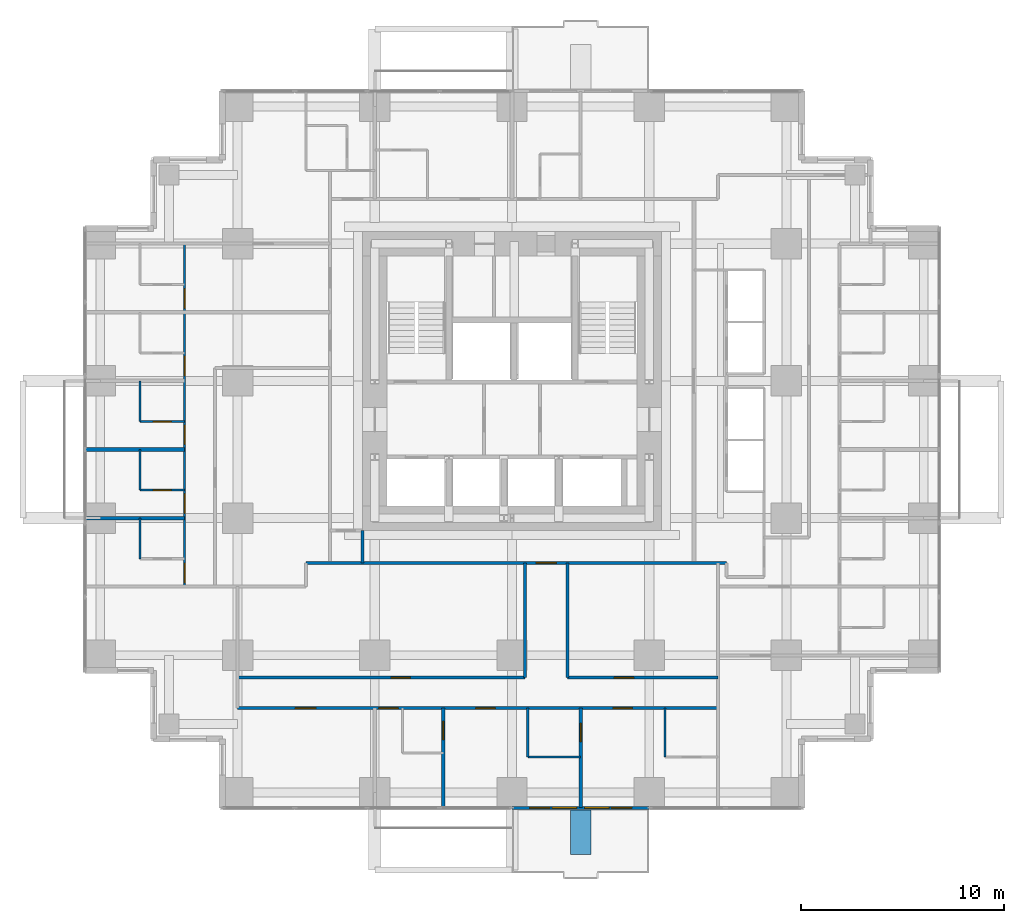
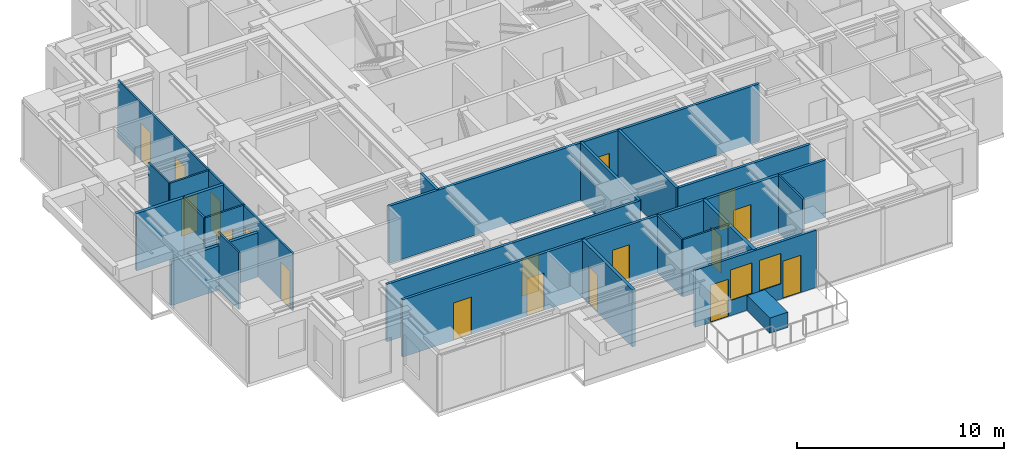
# One storey, part 7 of 12: 22 walls, 18 doors, 2 windows, 20 openings.
"""IFC4 building model written with IfcOpenShell, lengths in metres."""

from ifc_helpers import new_model, si_unit, direction, frame, frame_2d, origin, place, context, subcontext, project, spatial, rectangle, extrude, material, layer, layer_set, type_object, element, fill, save


model = new_model("IFC4")

# Units and contexts
model_context = context("Model", 3, precision=1e-05, world=origin(), true_north=direction((0.0, 1.0)))
body_context = subcontext(model_context, "Body", "Model", "MODEL_VIEW")
ifc_project = project(units=[si_unit("LENGTHUNIT", "METRE"), si_unit("AREAUNIT", "SQUARE_METRE"), si_unit("VOLUMEUNIT", "CUBIC_METRE"), si_unit("PLANEANGLEUNIT", "RADIAN"), si_unit("MASSUNIT", "GRAM", prefix="KILO")], contexts=[model_context])

# Site, building, storey
site_placement = place(None, origin())
site = spatial("IfcSite", under=ifc_project, at=site_placement, CompositionType="ELEMENT")
building_placement = place(site_placement, origin())
building = spatial("IfcBuilding", under=site, at=building_placement, Name="Nyansa Garden Tower", CompositionType="ELEMENT")
storey_placement = place(building_placement, frame((0.0, 0.0, 126.89990234375)))
storey = spatial("IfcBuildingStorey", under=building, at=storey_placement, Name="L34", CompositionType="ELEMENT", Elevation=126.89990234375)

# Walls
ifc_material_1 = material(Name="Dense blockwork, plastered both sides, 55 dB", Category="masonry")
ifc_layer_1 = layer(ifc_material_1, 0.175048828125)
ifc_layer_set_1 = layer_set([ifc_layer_1], Name="Acoustic party wall PW175")
wall_type_1 = type_object("IfcWallType", Name="Acoustic party wall PW175", PredefinedType="PARTITIONING", material=ifc_layer_set_1)
wall_1_placement = place(storey_placement, frame((-0.73388671875, 13.5, 0.0), z_axis=(0.0, 0.0, 1.0), x_axis=(1.0, 0.0, 0.0)))
element("IfcWall", 1, at=wall_1_placement, inside=storey, type_object=wall_type_1, Name="Party wall", PredefinedType="PARTITIONING", context=body_context, shape_type="SweptSolid", body=[
    extrude(rectangle(XDim=4.8837890625, YDim=0.175048828125, at=frame_2d((2.44189453125, 0.0))), origin(), (0.0, 0.0, 1.0), 2.610107421875),
])
wall_2_placement = place(storey_placement, frame((-0.73388671875, 16.875, 0.0), z_axis=(0.0, 0.0, 1.0), x_axis=(1.0, 0.0, 0.0)))
element("IfcWall", 2, at=wall_2_placement, inside=storey, type_object=wall_type_1, Name="Party wall", PredefinedType="PARTITIONING", context=body_context, shape_type="SweptSolid", body=[
    extrude(rectangle(XDim=4.8837890625, YDim=0.175048828125, at=frame_2d((2.44189453125, 0.0))), origin(), (0.0, 0.0, 1.0), 3.375),
])

# Wall, opening, door
wall_3_placement = place(storey_placement, frame((16.875, -0.73388671875, 0.0), z_axis=(0.0, 0.0, 1.0), x_axis=(0.0, 1.0, 0.0)))
wall_3 = element("IfcWall", 3, at=wall_3_placement, inside=storey, type_object=wall_type_1, Name="Party wall", PredefinedType="PARTITIONING", context=body_context, shape_type="SweptSolid", body=[
    extrude(rectangle(XDim=4.8837890625, YDim=0.175048828125, at=frame_2d((2.44189453125, 0.0))), origin(), (0.0, 0.0, 1.0), 3.375),
])
opening_1_placement = place(wall_3_placement, frame((3.333984375, 0.0, 0.0)))
opening_1 = element("IfcOpeningElement", 4, at=opening_1_placement, cuts=wall_3, Name="Opening D02", PredefinedType="OPENING", context=body_context, shape_type="SweptSolid", body=[
    extrude(rectangle(XDim=0.89990234375, YDim=2.199951171875, at=frame_2d((0.449951171875, 1.10009765625))), frame((0.0, 0.097412109375, 0.0), z_axis=(0.0, -1.0, 0.0), x_axis=(1.0, 0.0, 0.0)), (0.0, 0.0, 1.0), 0.195068359375),
])
ifc_material_2 = material(Name="Timber flush door", Category="wood")
door_type_1 = type_object("IfcDoorType", Name="En-suite door D02 900x2200", OperationType="SINGLE_SWING_RIGHT", PredefinedType="DOOR", material=ifc_material_2)
door_1_placement = place(opening_1_placement, origin())
door_1 = element("IfcDoor", 5, at=door_1_placement, inside=storey, type_object=door_type_1, Name="Door L34-023", OperationType="SINGLE_SWING_RIGHT", OverallHeight=2.199951171875, OverallWidth=0.89990234375, PredefinedType="DOOR", context=body_context, shape_type="SweptSolid", body=[
    extrude(rectangle(XDim=0.89990234375, YDim=2.199951171875, at=frame_2d((0.449951171875, 1.10009765625))), frame((0.0, 0.02490234375, 0.0), z_axis=(0.0, -1.0, 0.0), x_axis=(1.0, 0.0, 0.0)), (0.0, 0.0, 1.0), 0.050048828125),
])
fill(opening_1, door_1)

wall_4_placement = place(storey_placement, frame((23.625, -0.73388671875, 0.0), z_axis=(0.0, 0.0, 1.0), x_axis=(0.0, 1.0, 0.0)))
wall_4 = element("IfcWall", 6, at=wall_4_placement, inside=storey, type_object=wall_type_1, Name="Party wall", PredefinedType="PARTITIONING", context=body_context, shape_type="SweptSolid", body=[
    extrude(rectangle(XDim=4.8837890625, YDim=0.175048828125, at=frame_2d((2.44189453125, 0.0))), origin(), (0.0, 0.0, 1.0), 3.375),
])
opening_2_placement = place(wall_4_placement, frame((3.23388671875, 0.0, 0.0)))
opening_2 = element("IfcOpeningElement", 7, at=opening_2_placement, cuts=wall_4, Name="Opening D02", PredefinedType="OPENING", context=body_context, shape_type="SweptSolid", body=[
    extrude(rectangle(XDim=0.89990234375, YDim=2.199951171875, at=frame_2d((0.449951171875, 1.10009765625))), frame((0.0, 0.097412109375, 0.0), z_axis=(0.0, -1.0, 0.0), x_axis=(1.0, 0.0, 0.0)), (0.0, 0.0, 1.0), 0.195068359375),
])
door_2_placement = place(opening_2_placement, origin())
door_2 = element("IfcDoor", 8, at=door_2_placement, inside=storey, type_object=door_type_1, Name="Door L34-021", OperationType="SINGLE_SWING_RIGHT", OverallHeight=2.199951171875, OverallWidth=0.89990234375, PredefinedType="DOOR", context=body_context, shape_type="SweptSolid", body=[
    extrude(rectangle(XDim=0.89990234375, YDim=2.199951171875, at=frame_2d((0.449951171875, 1.10009765625))), frame((0.0, 0.02490234375, 0.0), z_axis=(0.0, -1.0, 0.0), x_axis=(1.0, 0.0, 0.0)), (0.0, 0.0, 1.0), 0.050048828125),
])
fill(opening_2, door_2)

# Wall, openings, doors, windows
ifc_material_3 = material(Name="Black aluminium framed glazed screen", Category="aluminium")
ifc_layer_2 = layer(ifc_material_3, 0.14990234375)
ifc_layer_set_2 = layer_set([ifc_layer_2], Name="Balcony screen wall BW150")
wall_type_2 = type_object("IfcWallType", Name="Balcony screen wall BW150", PredefinedType="SOLIDWALL", material=ifc_layer_set_2)
wall_5_placement = place(storey_placement, frame((27.0, -0.75, 0.0), z_axis=(0.0, 0.0, 1.0), x_axis=(-1.0, 0.0, 0.0)))
wall_5 = element("IfcWall", 9, at=wall_5_placement, inside=storey, type_object=wall_type_2, Name="Glazed screen wall L34 S", PredefinedType="SOLIDWALL", context=body_context, shape_type="SweptSolid", body=[
    extrude(rectangle(XDim=6.75, YDim=0.14990234375, at=frame_2d((3.375, 0.0))), origin(), (0.0, 0.0, 1.0), 3.375),
])
opening_3_placement = place(wall_5_placement, frame((0.862548828125, 0.0, 0.0)))
opening_3 = element("IfcOpeningElement", 10, at=opening_3_placement, cuts=wall_5, Name="Opening D20", PredefinedType="OPENING", context=body_context, shape_type="SweptSolid", body=[
    extrude(rectangle(XDim=1.0, YDim=2.199951171875, at=frame_2d((0.5, 1.10009765625))), frame((0.0, 0.0849609375, 0.0), z_axis=(0.0, -1.0, 0.0), x_axis=(1.0, 0.0, 0.0)), (0.0, 0.0, 1.0), 0.169921875),
])
opening_4_placement = place(wall_5_placement, frame((1.97509765625, 0.0, 0.89990234375)))
opening_4 = element("IfcOpeningElement", 11, at=opening_4_placement, cuts=wall_5, Name="Opening W6", PredefinedType="OPENING", context=body_context, shape_type="SweptSolid", body=[
    extrude(rectangle(XDim=1.199951171875, YDim=1.800048828125, at=frame_2d((0.60009765625, 0.89990234375))), frame((0.0, 0.0849609375, 0.0), z_axis=(0.0, -1.0, 0.0), x_axis=(1.0, 0.0, 0.0)), (0.0, 0.0, 1.0), 0.169921875),
])
opening_5_placement = place(wall_5_placement, frame((4.887451171875, 0.0, 0.0)))
opening_5 = element("IfcOpeningElement", 12, at=opening_5_placement, cuts=wall_5, Name="Opening D20", PredefinedType="OPENING", context=body_context, shape_type="SweptSolid", body=[
    extrude(rectangle(XDim=1.0, YDim=2.199951171875, at=frame_2d((0.5, 1.10009765625))), frame((0.0, 0.0849609375, 0.0), z_axis=(0.0, -1.0, 0.0), x_axis=(1.0, 0.0, 0.0)), (0.0, 0.0, 1.0), 0.169921875),
])
opening_6_placement = place(wall_5_placement, frame((3.574951171875, 0.0, 0.89990234375)))
opening_6 = element("IfcOpeningElement", 13, at=opening_6_placement, cuts=wall_5, Name="Opening W6", PredefinedType="OPENING", context=body_context, shape_type="SweptSolid", body=[
    extrude(rectangle(XDim=1.199951171875, YDim=1.800048828125, at=frame_2d((0.60009765625, 0.89990234375))), frame((0.0, 0.0849609375, 0.0), z_axis=(0.0, -1.0, 0.0), x_axis=(1.0, 0.0, 0.0)), (0.0, 0.0, 1.0), 0.169921875),
])
ifc_material_4 = material(Name="Black aluminium framed glazed door", Category="aluminium")
door_type_2 = type_object("IfcDoorType", Name="Balcony door D20 1000x2200", OperationType="NOTDEFINED", PredefinedType="DOOR", material=ifc_material_4)
door_3_placement = place(opening_3_placement, origin())
door_3 = element("IfcDoor", 14, at=door_3_placement, inside=storey, type_object=door_type_2, Name="Balcony door L34", OperationType="SINGLE_SWING_LEFT", OverallHeight=2.199951171875, OverallWidth=1.0, PredefinedType="DOOR", context=body_context, shape_type="SweptSolid", body=[
    extrude(rectangle(XDim=1.0, YDim=2.199951171875, at=frame_2d((0.5, 1.10009765625))), frame((0.0, 0.02490234375, 0.0), z_axis=(0.0, -1.0, 0.0), x_axis=(1.0, 0.0, 0.0)), (0.0, 0.0, 1.0), 0.050048828125),
])
fill(opening_3, door_3)
door_4_placement = place(opening_5_placement, origin())
door_4 = element("IfcDoor", 15, at=door_4_placement, inside=storey, type_object=door_type_2, Name="Balcony door L34", OperationType="SINGLE_SWING_RIGHT", OverallHeight=2.199951171875, OverallWidth=1.0, PredefinedType="DOOR", context=body_context, shape_type="SweptSolid", body=[
    extrude(rectangle(XDim=1.0, YDim=2.199951171875, at=frame_2d((0.5, 1.10009765625))), frame((0.0, 0.02490234375, 0.0), z_axis=(0.0, -1.0, 0.0), x_axis=(1.0, 0.0, 0.0)), (0.0, 0.0, 1.0), 0.050048828125),
])
fill(opening_5, door_4)
ifc_material_5 = material(Name="Black aluminium frame, dark tinted double glazing", Category="aluminium")
window_type = type_object("IfcWindowType", Name="Balcony window W6 1200x1800", PartitioningType="SINGLE_PANEL", PredefinedType="WINDOW", material=ifc_material_5)
window_1_placement = place(opening_4_placement, origin())
window_1 = element("IfcWindow", 16, at=window_1_placement, inside=storey, type_object=window_type, Name="Window L34", OverallHeight=1.800048828125, OverallWidth=1.199951171875, PartitioningType="SINGLE_PANEL", PredefinedType="WINDOW", context=body_context, shape_type="SweptSolid", body=[
    extrude(rectangle(XDim=1.199951171875, YDim=1.800048828125, at=frame_2d((0.60009765625, 0.89990234375))), frame((0.0, 0.030029296875, 0.0), z_axis=(0.0, -1.0, 0.0), x_axis=(1.0, 0.0, 0.0)), (0.0, 0.0, 1.0), 0.06005859375),
])
fill(opening_4, window_1)
window_2_placement = place(opening_6_placement, origin())
window_2 = element("IfcWindow", 17, at=window_2_placement, inside=storey, type_object=window_type, Name="Window L34", OverallHeight=1.800048828125, OverallWidth=1.199951171875, PartitioningType="SINGLE_PANEL", PredefinedType="WINDOW", context=body_context, shape_type="SweptSolid", body=[
    extrude(rectangle(XDim=1.199951171875, YDim=1.800048828125, at=frame_2d((0.60009765625, 0.89990234375))), frame((0.0, 0.030029296875, 0.0), z_axis=(0.0, -1.0, 0.0), x_axis=(1.0, 0.0, 0.0)), (0.0, 0.0, 1.0), 0.06005859375),
])
fill(opening_6, window_2)

# Wall, openings, doors
ifc_material_6 = material(Name="Blockwork, plastered both sides", Category="masonry")
ifc_layer_3 = layer(ifc_material_6, 0.14990234375)
ifc_layer_set_3 = layer_set([ifc_layer_3], Name="Partition PW150")
wall_type_3 = type_object("IfcWallType", Name="Partition PW150", PredefinedType="PARTITIONING", material=ifc_layer_set_3)
wall_6_placement = place(storey_placement, frame((6.75, 4.14990234375, 0.0), z_axis=(0.0, 0.0, 1.0), x_axis=(1.0, 0.0, 0.0)))
wall_6 = element("IfcWall", 18, at=wall_6_placement, inside=storey, type_object=wall_type_3, Name="Partition", PredefinedType="PARTITIONING", context=body_context, shape_type="SweptSolid", body=[
    extrude(rectangle(XDim=23.625, YDim=0.14990234375, at=frame_2d((11.8125, 0.0))), origin(), (0.0, 0.0, 1.0), 3.375),
])
opening_7_placement = place(wall_6_placement, frame((2.85009765625, 0.0, 0.0)))
opening_7 = element("IfcOpeningElement", 19, at=opening_7_placement, cuts=wall_6, Name="Opening D03", PredefinedType="OPENING", context=body_context, shape_type="SweptSolid", body=[
    extrude(rectangle(XDim=1.0, YDim=2.199951171875, at=frame_2d((0.5, 1.10009765625))), frame((0.0, 0.0849609375, 0.0), z_axis=(0.0, -1.0, 0.0), x_axis=(1.0, 0.0, 0.0)), (0.0, 0.0, 1.0), 0.169921875),
])
opening_8_placement = place(wall_6_placement, frame((18.47509765625, 0.0, 0.0)))
opening_8 = element("IfcOpeningElement", 20, at=opening_8_placement, cuts=wall_6, Name="Opening D14", PredefinedType="OPENING", context=body_context, shape_type="SweptSolid", body=[
    extrude(rectangle(XDim=0.949951171875, YDim=2.199951171875, at=frame_2d((0.47509765625, 1.10009765625))), frame((0.0, 0.0849609375, 0.0), z_axis=(0.0, -1.0, 0.0), x_axis=(1.0, 0.0, 0.0)), (0.0, 0.0, 1.0), 0.169921875),
])
opening_9_placement = place(wall_6_placement, frame((11.72509765625, 0.0, 0.0)))
opening_9 = element("IfcOpeningElement", 21, at=opening_9_placement, cuts=wall_6, Name="Opening D14", PredefinedType="OPENING", context=body_context, shape_type="SweptSolid", body=[
    extrude(rectangle(XDim=0.949951171875, YDim=2.199951171875, at=frame_2d((0.47509765625, 1.10009765625))), frame((0.0, 0.0849609375, 0.0), z_axis=(0.0, -1.0, 0.0), x_axis=(1.0, 0.0, 0.0)), (0.0, 0.0, 1.0), 0.169921875),
])
opening_10_placement = place(wall_6_placement, frame((6.949951171875, 0.0, 0.0)))
opening_10 = element("IfcOpeningElement", 22, at=opening_10_placement, cuts=wall_6, Name="Opening D14", PredefinedType="OPENING", context=body_context, shape_type="SweptSolid", body=[
    extrude(rectangle(XDim=0.949951171875, YDim=2.199951171875, at=frame_2d((0.47509765625, 1.10009765625))), frame((0.0, 0.0849609375, 0.0), z_axis=(0.0, -1.0, 0.0), x_axis=(1.0, 0.0, 0.0)), (0.0, 0.0, 1.0), 0.169921875),
])
ifc_material_7 = material(Name="Timber flush door, 60 minute fire resisting", Category="wood")
door_type_3 = type_object("IfcDoorType", Name="Cluster entrance door D03 1000x2200", OperationType="SINGLE_SWING_LEFT", PredefinedType="DOOR", material=ifc_material_7)
door_5_placement = place(opening_7_placement, origin())
door_5 = element("IfcDoor", 23, at=door_5_placement, inside=storey, type_object=door_type_3, Name="Door L34-017", OperationType="SINGLE_SWING_LEFT", OverallHeight=2.199951171875, OverallWidth=1.0, PredefinedType="DOOR", context=body_context, shape_type="SweptSolid", body=[
    extrude(rectangle(XDim=1.0, YDim=2.199951171875, at=frame_2d((0.5, 1.10009765625))), frame((0.0, 0.02490234375, 0.0), z_axis=(0.0, -1.0, 0.0), x_axis=(1.0, 0.0, 0.0)), (0.0, 0.0, 1.0), 0.050048828125),
])
fill(opening_7, door_5)
ifc_material_8 = material(Name="Timber flush door, 60 minute fire resisting, self-closing", Category="wood")
door_type_4 = type_object("IfcDoorType", Name="Studio entrance door D14 950x2200", OperationType="SINGLE_SWING_LEFT", PredefinedType="DOOR", material=ifc_material_8)
door_6_placement = place(opening_8_placement, origin())
door_6 = element("IfcDoor", 24, at=door_6_placement, inside=storey, type_object=door_type_4, Name="Door L34-018", OperationType="SINGLE_SWING_LEFT", OverallHeight=2.199951171875, OverallWidth=0.949951171875, PredefinedType="DOOR", context=body_context, shape_type="SweptSolid", body=[
    extrude(rectangle(XDim=0.949951171875, YDim=2.199951171875, at=frame_2d((0.47509765625, 1.10009765625))), frame((0.0, 0.02490234375, 0.0), z_axis=(0.0, -1.0, 0.0), x_axis=(1.0, 0.0, 0.0)), (0.0, 0.0, 1.0), 0.050048828125),
])
fill(opening_8, door_6)
door_7_placement = place(opening_9_placement, origin())
door_7 = element("IfcDoor", 25, at=door_7_placement, inside=storey, type_object=door_type_4, Name="Door L34-020", OperationType="SINGLE_SWING_LEFT", OverallHeight=2.199951171875, OverallWidth=0.949951171875, PredefinedType="DOOR", context=body_context, shape_type="SweptSolid", body=[
    extrude(rectangle(XDim=0.949951171875, YDim=2.199951171875, at=frame_2d((0.47509765625, 1.10009765625))), frame((0.0, 0.02490234375, 0.0), z_axis=(0.0, -1.0, 0.0), x_axis=(1.0, 0.0, 0.0)), (0.0, 0.0, 1.0), 0.050048828125),
])
fill(opening_9, door_7)
door_8_placement = place(opening_10_placement, origin())
door_8 = element("IfcDoor", 26, at=door_8_placement, inside=storey, type_object=door_type_4, Name="Door L34-022", OperationType="SINGLE_SWING_LEFT", OverallHeight=2.199951171875, OverallWidth=0.949951171875, PredefinedType="DOOR", context=body_context, shape_type="SweptSolid", body=[
    extrude(rectangle(XDim=0.949951171875, YDim=2.199951171875, at=frame_2d((0.47509765625, 1.10009765625))), frame((0.0, 0.02490234375, 0.0), z_axis=(0.0, -1.0, 0.0), x_axis=(1.0, 0.0, 0.0)), (0.0, 0.0, 1.0), 0.050048828125),
])
fill(opening_10, door_8)

# Wall, opening, door
wall_7_placement = place(storey_placement, frame((6.75, 5.64990234375, 0.0), z_axis=(0.0, 0.0, 1.0), x_axis=(1.0, 0.0, 0.0)))
wall_7 = element("IfcWall", 27, at=wall_7_placement, inside=storey, type_object=wall_type_3, Name="Partition", PredefinedType="PARTITIONING", context=body_context, shape_type="SweptSolid", body=[
    extrude(rectangle(XDim=14.137451171875, YDim=0.14990234375, at=frame_2d((7.06884765625, 0.0))), origin(), (0.0, 0.0, 1.0), 3.375),
])
opening_11_placement = place(wall_7_placement, frame((7.550048828125, 0.0, 0.0)))
opening_11 = element("IfcOpeningElement", 28, at=opening_11_placement, cuts=wall_7, Name="Opening D01", PredefinedType="OPENING", context=body_context, shape_type="SweptSolid", body=[
    extrude(rectangle(XDim=0.949951171875, YDim=2.199951171875, at=frame_2d((0.47509765625, 1.10009765625))), frame((0.0, 0.0849609375, 0.0), z_axis=(0.0, -1.0, 0.0), x_axis=(1.0, 0.0, 0.0)), (0.0, 0.0, 1.0), 0.169921875),
])
ifc_material_9 = material(Name="Timber flush door, 30 minute fire resisting", Category="wood")
door_type_5 = type_object("IfcDoorType", Name="Bedroom door D01 950x2200", OperationType="SINGLE_SWING_LEFT", PredefinedType="DOOR", material=ifc_material_9)
door_9_placement = place(opening_11_placement, origin())
door_9 = element("IfcDoor", 29, at=door_9_placement, inside=storey, type_object=door_type_5, Name="Door L34-026", OperationType="SINGLE_SWING_LEFT", OverallHeight=2.199951171875, OverallWidth=0.949951171875, PredefinedType="DOOR", context=body_context, shape_type="SweptSolid", body=[
    extrude(rectangle(XDim=0.949951171875, YDim=2.199951171875, at=frame_2d((0.47509765625, 1.10009765625))), frame((0.0, 0.02490234375, 0.0), z_axis=(0.0, -1.0, 0.0), x_axis=(1.0, 0.0, 0.0)), (0.0, 0.0, 1.0), 0.050048828125),
])
fill(opening_11, door_9)

wall_8_placement = place(storey_placement, frame((10.125, 11.300048828125, 0.0), z_axis=(0.0, 0.0, 1.0), x_axis=(1.0, 0.0, 0.0)))
wall_8 = element("IfcWall", 30, at=wall_8_placement, inside=storey, type_object=wall_type_3, Name="Partition", PredefinedType="PARTITIONING", context=body_context, shape_type="SweptSolid", body=[
    extrude(rectangle(XDim=20.675048828125, YDim=0.14990234375, at=frame_2d((10.33740234375, 0.0))), origin(), (0.0, 0.0, 1.0), 3.375),
])
opening_12_placement = place(wall_8_placement, frame((11.3125, 0.0, 0.0)))
opening_12 = element("IfcOpeningElement", 31, at=opening_12_placement, cuts=wall_8, Name="Opening D03", PredefinedType="OPENING", context=body_context, shape_type="SweptSolid", body=[
    extrude(rectangle(XDim=1.0, YDim=2.199951171875, at=frame_2d((0.5, 1.10009765625))), frame((0.0, 0.0849609375, 0.0), z_axis=(0.0, -1.0, 0.0), x_axis=(1.0, 0.0, 0.0)), (0.0, 0.0, 1.0), 0.169921875),
])
door_10_placement = place(opening_12_placement, origin())
door_10 = element("IfcDoor", 32, at=door_10_placement, inside=storey, type_object=door_type_3, Name="Door L34-024", OperationType="SINGLE_SWING_LEFT", OverallHeight=2.199951171875, OverallWidth=1.0, PredefinedType="DOOR", context=body_context, shape_type="SweptSolid", body=[
    extrude(rectangle(XDim=1.0, YDim=2.199951171875, at=frame_2d((0.5, 1.10009765625))), frame((0.0, 0.02490234375, 0.0), z_axis=(0.0, -1.0, 0.0), x_axis=(1.0, 0.0, 0.0)), (0.0, 0.0, 1.0), 0.050048828125),
])
fill(opening_12, door_10)

# Walls
wall_9_placement = place(storey_placement, frame((12.89990234375, 11.300048828125, 0.0), z_axis=(0.0, 0.0, 1.0), x_axis=(0.0, 1.0, 0.0)))
element("IfcWall", 33, at=wall_9_placement, inside=storey, type_object=wall_type_3, Name="Partition", PredefinedType="PARTITIONING", context=body_context, shape_type="SweptSolid", body=[
    extrude(rectangle(XDim=1.599853515625, YDim=0.14990234375, at=frame_2d((0.7998046875, 0.0))), origin(), (0.0, 0.0, 1.0), 3.375),
])
wall_10_placement = place(storey_placement, frame((20.886962890625, 5.64990234375, 0.0), z_axis=(0.0, 0.0, 1.0), x_axis=(0.0, 1.0, 0.0)))
element("IfcWall", 34, at=wall_10_placement, inside=storey, type_object=wall_type_3, Name="Partition", PredefinedType="PARTITIONING", context=body_context, shape_type="SweptSolid", body=[
    extrude(rectangle(XDim=5.650146484375, YDim=0.14990234375, at=frame_2d((2.8251953125, 0.0))), origin(), (0.0, 0.0, 1.0), 3.375),
])

# Wall, opening, door
wall_11_placement = place(storey_placement, frame((22.987548828125, 5.64990234375, 0.0), z_axis=(0.0, 0.0, 1.0), x_axis=(1.0, 0.0, 0.0)))
wall_11 = element("IfcWall", 35, at=wall_11_placement, inside=storey, type_object=wall_type_3, Name="Partition", PredefinedType="PARTITIONING", context=body_context, shape_type="SweptSolid", body=[
    extrude(rectangle(XDim=7.387451171875, YDim=0.14990234375, at=frame_2d((3.69384765625, 0.0))), origin(), (0.0, 0.0, 1.0), 3.375),
])
opening_13_placement = place(wall_11_placement, frame((2.300048828125, 0.0, 0.0)))
opening_13 = element("IfcOpeningElement", 36, at=opening_13_placement, cuts=wall_11, Name="Opening D01", PredefinedType="OPENING", context=body_context, shape_type="SweptSolid", body=[
    extrude(rectangle(XDim=0.949951171875, YDim=2.199951171875, at=frame_2d((0.47509765625, 1.10009765625))), frame((0.0, 0.0849609375, 0.0), z_axis=(0.0, -1.0, 0.0), x_axis=(1.0, 0.0, 0.0)), (0.0, 0.0, 1.0), 0.169921875),
])
door_11_placement = place(opening_13_placement, origin())
door_11 = element("IfcDoor", 37, at=door_11_placement, inside=storey, type_object=door_type_5, Name="Door L34-025", OperationType="SINGLE_SWING_LEFT", OverallHeight=2.199951171875, OverallWidth=0.949951171875, PredefinedType="DOOR", context=body_context, shape_type="SweptSolid", body=[
    extrude(rectangle(XDim=0.949951171875, YDim=2.199951171875, at=frame_2d((0.47509765625, 1.10009765625))), frame((0.0, 0.02490234375, 0.0), z_axis=(0.0, -1.0, 0.0), x_axis=(1.0, 0.0, 0.0)), (0.0, 0.0, 1.0), 0.050048828125),
])
fill(opening_13, door_11)

# Walls
wall_12_placement = place(storey_placement, frame((22.988037109375, 5.64990234375, 0.0), z_axis=(0.0, 0.0, 1.0), x_axis=(0.0, 1.0, 0.0)))
element("IfcWall", 38, at=wall_12_placement, inside=storey, type_object=wall_type_3, Name="Partition", PredefinedType="PARTITIONING", context=body_context, shape_type="SweptSolid", body=[
    extrude(rectangle(XDim=5.650146484375, YDim=0.14990234375, at=frame_2d((2.8251953125, 0.0))), origin(), (0.0, 0.0, 1.0), 3.375),
])
ifc_material_10 = material(Name="Concrete C40/50 planter, waterproofed", Category="concrete")
ifc_layer_4 = layer(ifc_material_10, 1.0)
ifc_layer_set_4 = layer_set([ifc_layer_4], Name="Tree planter TP1")
wall_type_4 = type_object("IfcWallType", Name="Tree planter TP1", PredefinedType="USERDEFINED", material=ifc_layer_set_4)
wall_13_placement = place(storey_placement, frame((23.625, -0.85009765625, 0.0), z_axis=(0.0, 0.0, 1.0), x_axis=(0.0, -1.0, 0.0)))
element("IfcWall", 39, at=wall_13_placement, inside=storey, type_object=wall_type_4, Name="Tree planter L34", ObjectType="TREE PLANTER", PredefinedType="USERDEFINED", context=body_context, shape_type="SweptSolid", body=[
    extrude(rectangle(XDim=2.199951171875, YDim=1.0, at=frame_2d((1.10009765625, 0.0))), origin(), (0.0, 0.0, 1.0), 0.900146484375),
])
ifc_material_11 = material(Name="Moisture resistant board on steel studs, tiled", Category="steel")
ifc_layer_5 = layer(ifc_material_11, 0.10009765625)
ifc_layer_set_5 = layer_set([ifc_layer_5], Name="Wet wall PW100")
wall_type_5 = type_object("IfcWallType", Name="Wet wall PW100", PredefinedType="PARTITIONING", material=ifc_layer_set_5)
for number, where, z_axis, x_axis, name in (
    (40, (1.949951171875, 11.5, 0.0), (0.0, 0.0, 1.0), (0.0, 1.0, 0.0), "Wet wall"),
    (41, (1.949951171875, 14.875, 0.0), (0.0, 0.0, 1.0), (0.0, 1.0, 0.0), "Wet wall"),
):
    element("IfcWall", number, at=place(storey_placement, frame(where, z_axis=z_axis, x_axis=x_axis)), inside=storey, type_object=wall_type_5, Name=name, PredefinedType="PARTITIONING", context=body_context, shape_type="SweptSolid", body=[
        extrude(rectangle(XDim=2.0, YDim=0.10009765625, at=frame_2d((1.0, 0.0))), origin(), (0.0, 0.0, 1.0), 3.375),
    ])

# Wall, opening, door
wall_14_placement = place(storey_placement, frame((1.949951171875, 14.875, 0.0), z_axis=(0.0, 0.0, 1.0), x_axis=(1.0, 0.0, 0.0)))
wall_14 = element("IfcWall", 42, at=wall_14_placement, inside=storey, type_object=wall_type_5, Name="Wet wall", PredefinedType="PARTITIONING", context=body_context, shape_type="SweptSolid", body=[
    extrude(rectangle(XDim=2.199951171875, YDim=0.10009765625, at=frame_2d((1.10009765625, 0.0))), origin(), (0.0, 0.0, 1.0), 3.375),
])
opening_14_placement = place(wall_14_placement, frame((0.64990234375, 0.0, 0.0)))
opening_14 = element("IfcOpeningElement", 43, at=opening_14_placement, cuts=wall_14, Name="Opening D02", PredefinedType="OPENING", context=body_context, shape_type="SweptSolid", body=[
    extrude(rectangle(XDim=0.89990234375, YDim=2.199951171875, at=frame_2d((0.449951171875, 1.10009765625))), frame((0.0, 0.06005859375, 0.0), z_axis=(0.0, -1.0, 0.0), x_axis=(1.0, 0.0, 0.0)), (0.0, 0.0, 1.0), 0.1201171875),
])
door_12_placement = place(opening_14_placement, origin())
door_12 = element("IfcDoor", 44, at=door_12_placement, inside=storey, type_object=door_type_1, Name="Door L34-058", OperationType="SINGLE_SWING_RIGHT", OverallHeight=2.199951171875, OverallWidth=0.89990234375, PredefinedType="DOOR", context=body_context, shape_type="SweptSolid", body=[
    extrude(rectangle(XDim=0.89990234375, YDim=2.199951171875, at=frame_2d((0.449951171875, 1.10009765625))), frame((0.0, 0.02490234375, 0.0), z_axis=(0.0, -1.0, 0.0), x_axis=(1.0, 0.0, 0.0)), (0.0, 0.0, 1.0), 0.050048828125),
])
fill(opening_14, door_12)

# Wall
wall_15_placement = place(storey_placement, frame((1.949951171875, 18.25, 0.0), z_axis=(0.0, 0.0, 1.0), x_axis=(0.0, 1.0, 0.0)))
element("IfcWall", 45, at=wall_15_placement, inside=storey, type_object=wall_type_5, Name="Wet wall", PredefinedType="PARTITIONING", context=body_context, shape_type="SweptSolid", body=[
    extrude(rectangle(XDim=2.0, YDim=0.10009765625, at=frame_2d((1.0, 0.0))), origin(), (0.0, 0.0, 1.0), 3.375),
])

# Wall, opening, door
wall_16_placement = place(storey_placement, frame((1.949951171875, 18.25, 0.0), z_axis=(0.0, 0.0, 1.0), x_axis=(1.0, 0.0, 0.0)))
wall_16 = element("IfcWall", 46, at=wall_16_placement, inside=storey, type_object=wall_type_5, Name="Wet wall", PredefinedType="PARTITIONING", context=body_context, shape_type="SweptSolid", body=[
    extrude(rectangle(XDim=2.199951171875, YDim=0.10009765625, at=frame_2d((1.10009765625, 0.0))), origin(), (0.0, 0.0, 1.0), 3.375),
])
opening_15_placement = place(wall_16_placement, frame((0.64990234375, 0.0, 0.0)))
opening_15 = element("IfcOpeningElement", 47, at=opening_15_placement, cuts=wall_16, Name="Opening D02", PredefinedType="OPENING", context=body_context, shape_type="SweptSolid", body=[
    extrude(rectangle(XDim=0.89990234375, YDim=2.199951171875, at=frame_2d((0.449951171875, 1.10009765625))), frame((0.0, 0.06005859375, 0.0), z_axis=(0.0, -1.0, 0.0), x_axis=(1.0, 0.0, 0.0)), (0.0, 0.0, 1.0), 0.1201171875),
])
door_13_placement = place(opening_15_placement, origin())
door_13 = element("IfcDoor", 48, at=door_13_placement, inside=storey, type_object=door_type_1, Name="Door L34-060", OperationType="SINGLE_SWING_RIGHT", OverallHeight=2.199951171875, OverallWidth=0.89990234375, PredefinedType="DOOR", context=body_context, shape_type="SweptSolid", body=[
    extrude(rectangle(XDim=0.89990234375, YDim=2.199951171875, at=frame_2d((0.449951171875, 1.10009765625))), frame((0.0, 0.02490234375, 0.0), z_axis=(0.0, -1.0, 0.0), x_axis=(1.0, 0.0, 0.0)), (0.0, 0.0, 1.0), 0.050048828125),
])
fill(opening_15, door_13)

# Wall, openings, doors
wall_17_placement = place(storey_placement, frame((4.14990234375, 10.125, 0.0), z_axis=(0.0, 0.0, 1.0), x_axis=(0.0, 1.0, 0.0)))
wall_17 = element("IfcWall", 49, at=wall_17_placement, inside=storey, type_object=wall_type_5, Name="Wet wall", PredefinedType="PARTITIONING", context=body_context, shape_type="SweptSolid", body=[
    extrude(rectangle(XDim=16.875, YDim=0.10009765625, at=frame_2d((8.4375, 0.0))), origin(), (0.0, 0.0, 1.0), 3.375),
])
opening_16_placement = place(wall_17_placement, frame((13.699951171875, 0.0, 0.0)))
opening_16 = element("IfcOpeningElement", 50, at=opening_16_placement, cuts=wall_17, Name="Opening D01", PredefinedType="OPENING", context=body_context, shape_type="SweptSolid", body=[
    extrude(rectangle(XDim=0.949951171875, YDim=2.199951171875, at=frame_2d((0.47509765625, 1.10009765625))), frame((0.0, 0.06005859375, 0.0), z_axis=(0.0, -1.0, 0.0), x_axis=(1.0, 0.0, 0.0)), (0.0, 0.0, 1.0), 0.1201171875),
])
opening_17_placement = place(wall_17_placement, frame((0.199951171875, 0.0, 0.0)))
opening_17 = element("IfcOpeningElement", 51, at=opening_17_placement, cuts=wall_17, Name="Opening D14", PredefinedType="OPENING", context=body_context, shape_type="SweptSolid", body=[
    extrude(rectangle(XDim=0.949951171875, YDim=2.199951171875, at=frame_2d((0.47509765625, 1.10009765625))), frame((0.0, 0.06005859375, 0.0), z_axis=(0.0, -1.0, 0.0), x_axis=(1.0, 0.0, 0.0)), (0.0, 0.0, 1.0), 0.1201171875),
])
opening_18_placement = place(wall_17_placement, frame((3.625, 0.0, 0.0)))
opening_18 = element("IfcOpeningElement", 52, at=opening_18_placement, cuts=wall_17, Name="Opening D14", PredefinedType="OPENING", context=body_context, shape_type="SweptSolid", body=[
    extrude(rectangle(XDim=0.949951171875, YDim=2.199951171875, at=frame_2d((0.47509765625, 1.10009765625))), frame((0.0, 0.06005859375, 0.0), z_axis=(0.0, -1.0, 0.0), x_axis=(1.0, 0.0, 0.0)), (0.0, 0.0, 1.0), 0.1201171875),
])
opening_19_placement = place(wall_17_placement, frame((7.0, 0.0, 0.0)))
opening_19 = element("IfcOpeningElement", 53, at=opening_19_placement, cuts=wall_17, Name="Opening D14", PredefinedType="OPENING", context=body_context, shape_type="SweptSolid", body=[
    extrude(rectangle(XDim=0.949951171875, YDim=2.199951171875, at=frame_2d((0.47509765625, 1.10009765625))), frame((0.0, 0.06005859375, 0.0), z_axis=(0.0, -1.0, 0.0), x_axis=(1.0, 0.0, 0.0)), (0.0, 0.0, 1.0), 0.1201171875),
])
opening_20_placement = place(wall_17_placement, frame((10.375, 0.0, 0.0)))
opening_20 = element("IfcOpeningElement", 54, at=opening_20_placement, cuts=wall_17, Name="Opening D14", PredefinedType="OPENING", context=body_context, shape_type="SweptSolid", body=[
    extrude(rectangle(XDim=0.949951171875, YDim=2.199951171875, at=frame_2d((0.47509765625, 1.10009765625))), frame((0.0, 0.06005859375, 0.0), z_axis=(0.0, -1.0, 0.0), x_axis=(1.0, 0.0, 0.0)), (0.0, 0.0, 1.0), 0.1201171875),
])
door_14_placement = place(opening_16_placement, origin())
door_14 = element("IfcDoor", 55, at=door_14_placement, inside=storey, type_object=door_type_5, Name="Door L34-052", OperationType="SINGLE_SWING_LEFT", OverallHeight=2.199951171875, OverallWidth=0.949951171875, PredefinedType="DOOR", context=body_context, shape_type="SweptSolid", body=[
    extrude(rectangle(XDim=0.949951171875, YDim=2.199951171875, at=frame_2d((0.47509765625, 1.10009765625))), frame((0.0, 0.02490234375, 0.0), z_axis=(0.0, -1.0, 0.0), x_axis=(1.0, 0.0, 0.0)), (0.0, 0.0, 1.0), 0.050048828125),
])
fill(opening_16, door_14)
door_15_placement = place(opening_17_placement, origin())
door_15 = element("IfcDoor", 56, at=door_15_placement, inside=storey, type_object=door_type_4, Name="Door L34-055", OperationType="SINGLE_SWING_LEFT", OverallHeight=2.199951171875, OverallWidth=0.949951171875, PredefinedType="DOOR", context=body_context, shape_type="SweptSolid", body=[
    extrude(rectangle(XDim=0.949951171875, YDim=2.199951171875, at=frame_2d((0.47509765625, 1.10009765625))), frame((0.0, 0.02490234375, 0.0), z_axis=(0.0, -1.0, 0.0), x_axis=(1.0, 0.0, 0.0)), (0.0, 0.0, 1.0), 0.050048828125),
])
fill(opening_17, door_15)
door_16_placement = place(opening_18_placement, origin())
door_16 = element("IfcDoor", 57, at=door_16_placement, inside=storey, type_object=door_type_4, Name="Door L34-057", OperationType="SINGLE_SWING_LEFT", OverallHeight=2.199951171875, OverallWidth=0.949951171875, PredefinedType="DOOR", context=body_context, shape_type="SweptSolid", body=[
    extrude(rectangle(XDim=0.949951171875, YDim=2.199951171875, at=frame_2d((0.47509765625, 1.10009765625))), frame((0.0, 0.02490234375, 0.0), z_axis=(0.0, -1.0, 0.0), x_axis=(1.0, 0.0, 0.0)), (0.0, 0.0, 1.0), 0.050048828125),
])
fill(opening_18, door_16)
door_17_placement = place(opening_19_placement, origin())
door_17 = element("IfcDoor", 58, at=door_17_placement, inside=storey, type_object=door_type_4, Name="Door L34-059", OperationType="SINGLE_SWING_LEFT", OverallHeight=2.199951171875, OverallWidth=0.949951171875, PredefinedType="DOOR", context=body_context, shape_type="SweptSolid", body=[
    extrude(rectangle(XDim=0.949951171875, YDim=2.199951171875, at=frame_2d((0.47509765625, 1.10009765625))), frame((0.0, 0.02490234375, 0.0), z_axis=(0.0, -1.0, 0.0), x_axis=(1.0, 0.0, 0.0)), (0.0, 0.0, 1.0), 0.050048828125),
])
fill(opening_19, door_17)
door_18_placement = place(opening_20_placement, origin())
door_18 = element("IfcDoor", 59, at=door_18_placement, inside=storey, type_object=door_type_4, Name="Door L34-061", OperationType="SINGLE_SWING_LEFT", OverallHeight=2.199951171875, OverallWidth=0.949951171875, PredefinedType="DOOR", context=body_context, shape_type="SweptSolid", body=[
    extrude(rectangle(XDim=0.949951171875, YDim=2.199951171875, at=frame_2d((0.47509765625, 1.10009765625))), frame((0.0, 0.02490234375, 0.0), z_axis=(0.0, -1.0, 0.0), x_axis=(1.0, 0.0, 0.0)), (0.0, 0.0, 1.0), 0.050048828125),
])
fill(opening_20, door_18)

# Walls
wall_18_placement = place(storey_placement, frame((21.02490234375, 1.75, 0.0), z_axis=(0.0, 0.0, 1.0), x_axis=(0.0, 1.0, 0.0)))
element("IfcWall", 60, at=wall_18_placement, inside=storey, type_object=wall_type_5, Name="Wet wall", PredefinedType="PARTITIONING", context=body_context, shape_type="SweptSolid", body=[
    extrude(rectangle(XDim=2.39990234375, YDim=0.10009765625, at=frame_2d((1.199951171875, 0.0))), origin(), (0.0, 0.0, 1.0), 3.375),
])
wall_19_placement = place(storey_placement, frame((21.02490234375, 1.75, 0.0), z_axis=(0.0, 0.0, 1.0), x_axis=(1.0, 0.0, 0.0)))
element("IfcWall", 61, at=wall_19_placement, inside=storey, type_object=wall_type_5, Name="Wet wall", PredefinedType="PARTITIONING", context=body_context, shape_type="SweptSolid", body=[
    extrude(rectangle(XDim=2.60009765625, YDim=0.10009765625, at=frame_2d((1.300048828125, 0.0))), origin(), (0.0, 0.0, 1.0), 3.375),
])
wall_20_placement = place(storey_placement, frame((27.77490234375, 1.75, 0.0), z_axis=(0.0, 0.0, 1.0), x_axis=(0.0, 1.0, 0.0)))
element("IfcWall", 62, at=wall_20_placement, inside=storey, type_object=wall_type_5, Name="Wet wall", PredefinedType="PARTITIONING", context=body_context, shape_type="SweptSolid", body=[
    extrude(rectangle(XDim=2.39990234375, YDim=0.10009765625, at=frame_2d((1.199951171875, 0.0))), origin(), (0.0, 0.0, 1.0), 3.375),
])

save(model, "model.ifc")
